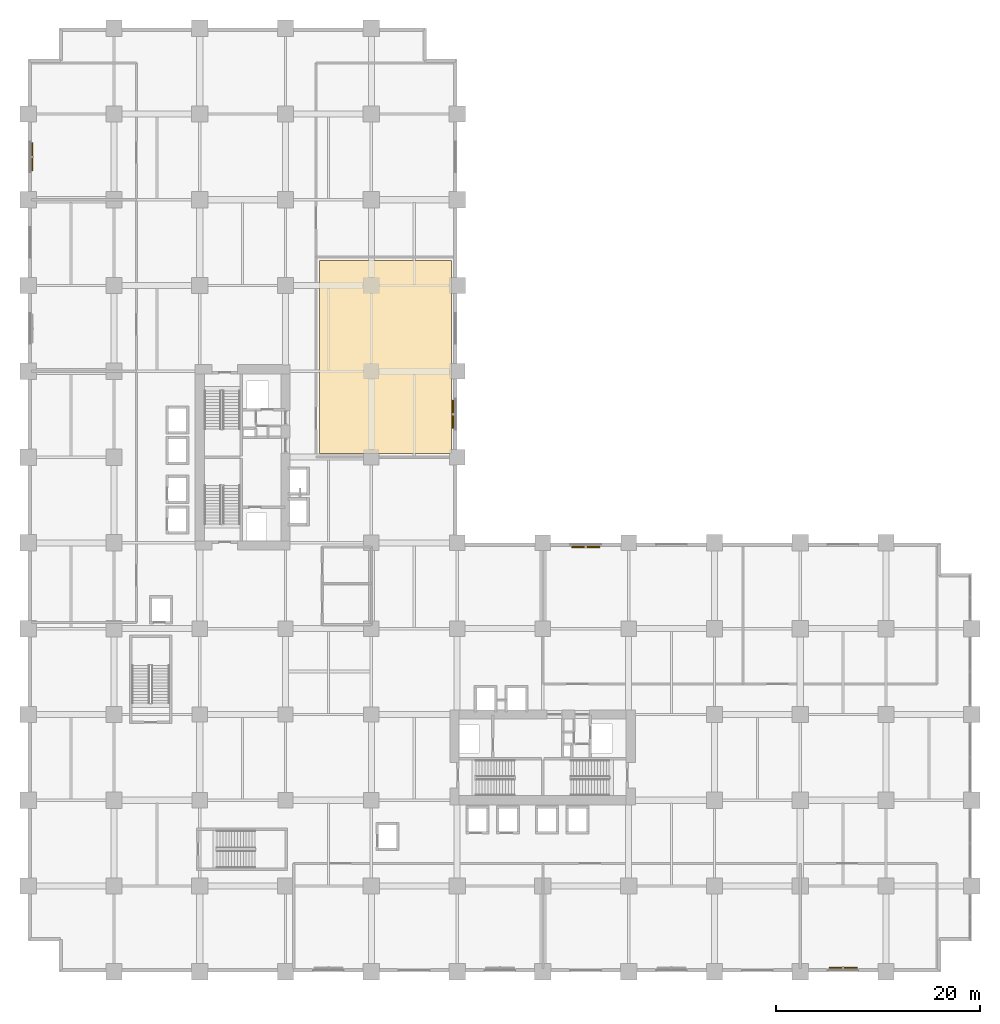
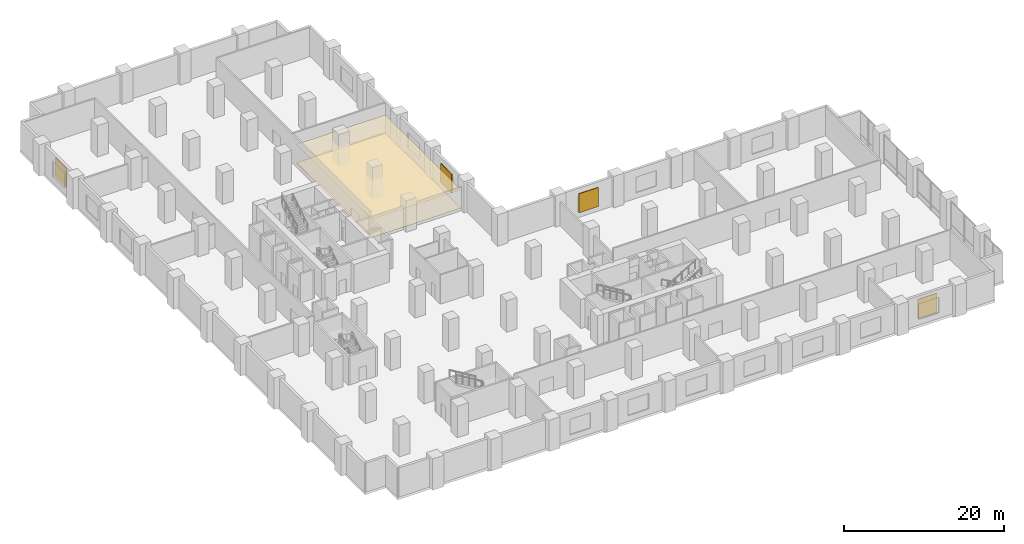
# One storey, part 22 of 22: 4 shading devices, 2 coverings.
"""IFC4 building model written with IfcOpenShell, lengths in metres."""

from ifc_helpers import new_model, si_unit, direction, frame, origin, origin_2d, place, context, subcontext, project, spatial, polyline, rectangle, outline, extrude, material, layer, layer_set, type_object, element, save


model = new_model("IFC4")

# Units and contexts
model_context = context("Model", 3, precision=1e-05, world=origin(), true_north=direction((0.0, 1.0)))
body_context = subcontext(model_context, "Body", "Model", "MODEL_VIEW")
ifc_project = project(units=[si_unit("LENGTHUNIT", "METRE"), si_unit("AREAUNIT", "SQUARE_METRE"), si_unit("VOLUMEUNIT", "CUBIC_METRE"), si_unit("PLANEANGLEUNIT", "RADIAN"), si_unit("MASSUNIT", "GRAM", prefix="KILO")], contexts=[model_context])

# Site, building, storey
site_placement = place(None, origin())
site = spatial("IfcSite", under=ifc_project, at=site_placement, CompositionType="ELEMENT")
building_placement = place(site_placement, origin())
building = spatial("IfcBuilding", under=site, at=building_placement, Name="Koriwani Terraces Tower", CompositionType="ELEMENT")
storey_placement = place(building_placement, frame((0.0, 0.0, 10.800048828125)))
storey = spatial("IfcBuildingStorey", under=building, at=storey_placement, Name="L02", CompositionType="ELEMENT", Elevation=10.800048828125)

# Coverings
ifc_material_1 = material(Name="Fire-Rated Acoustic Gypsum Partition", Category="masonry")
ifc_layer_1 = layer(ifc_material_1, 0.02490234375, Name="Fire-Rated Acoustic Gypsum Partition")
ifc_layer_set_1 = layer_set([ifc_layer_1], Name="Fire-Rated Acoustic Gypsum Partition")
covering_type_1 = type_object("IfcCoveringType", Name="CEILING_ACOUSTIC_GYPSUM", PredefinedType="CEILING", material=ifc_layer_set_1)
covering_1_placement = place(storey_placement, frame((0.0, 0.0, 2.824951171875)))
element("IfcCovering", 1, at=covering_1_placement, inside=storey, type_object=covering_type_1, Name="L02 Suspended Acoustic Gypsum Ceiling", PredefinedType="CEILING", context=body_context, shape_type="SweptSolid", body=[
    extrude(outline(polyline([(28.550048828125, 50.75), (28.550048828125, 69.64990234375), (41.449951171875, 69.64990234375), (41.449951171875, 50.75), (28.550048828125, 50.75)])), origin(), (0.0, 0.0, 1.0), 0.02490234375),
])
ifc_material_2 = material(Name="Polished Andean Slate Flooring", Category="masonry")
ifc_layer_2 = layer(ifc_material_2, 0.030029296875, Name="Polished Andean Slate Flooring")
ifc_layer_set_2 = layer_set([ifc_layer_2], Name="Polished Andean Slate Flooring")
covering_type_2 = type_object("IfcCoveringType", Name="FLOORING_ANDEAN_STONE", PredefinedType="FLOORING", material=ifc_layer_set_2)
covering_2_placement = place(storey_placement, origin())
element("IfcCovering", 2, at=covering_2_placement, inside=storey, type_object=covering_type_2, Name="L02 Polished Andean Slate Floor Finish", PredefinedType="FLOORING", context=body_context, shape_type="SweptSolid", body=[
    extrude(outline(polyline([(28.550048828125, 50.75), (28.550048828125, 69.64990234375), (41.449951171875, 69.64990234375), (41.449951171875, 50.75), (28.550048828125, 50.75)])), origin(), (0.0, 0.0, 1.0), 0.030029296875),
])

# Shading devices
ifc_material_3 = material(Name="Extruded Terracotta Clay", Category="masonry")
ifc_layer_3 = layer(ifc_material_3, 0.1201171875, Name="Extruded Terracotta Clay")
ifc_layer_set_3 = layer_set([ifc_layer_3], Name="Extruded Terracotta Clay")
shading_device_type = type_object("IfcShadingDeviceType", Name="TERRACOTTA_BAGUETTE_SCREEN_2800", PredefinedType="USERDEFINED", material=ifc_layer_set_3)
for number, where, z_axis, x_axis, name in (
    (3, (0.405029296875, 79.800048828125, 0.77490234375), (0.0, 0.0, 1.0), (0.0, 1.0, 0.0), "L02 Extruded Terracotta Baguette Screen (W-27)"),
    (4, (41.594970703125, 54.60009765625, 0.77490234375), (0.0, 0.0, 1.0), (0.0, -1.0, 0.0), "L02 Extruded Terracotta Baguette Screen (NW_IN-5)"),
    (5, (54.60009765625, 41.594970703125, 0.77490234375), (0.0, 0.0, 1.0), (1.0, 0.0, 0.0), "L02 Extruded Terracotta Baguette Screen (NE-5)"),
    (6, (79.800048828125, 0.405029296875, 0.77490234375), (0.0, 0.0, 1.0), (-1.0, 0.0, 0.0), "L02 Extruded Terracotta Baguette Screen (S-27)"),
):
    element("IfcShadingDevice", number, at=place(storey_placement, frame(where, z_axis=z_axis, x_axis=x_axis)), inside=storey, type_object=shading_device_type, Name=name, ObjectType="BAGUETTE", PredefinedType="USERDEFINED", context=body_context, shape_type="SweptSolid", body=[
        extrude(rectangle(XDim=2.760009765625, YDim=0.1201171875, at=origin_2d()), origin(), (0.0, 0.0, 1.0), 2.89990234375),
    ])

save(model, "model.ifc")
